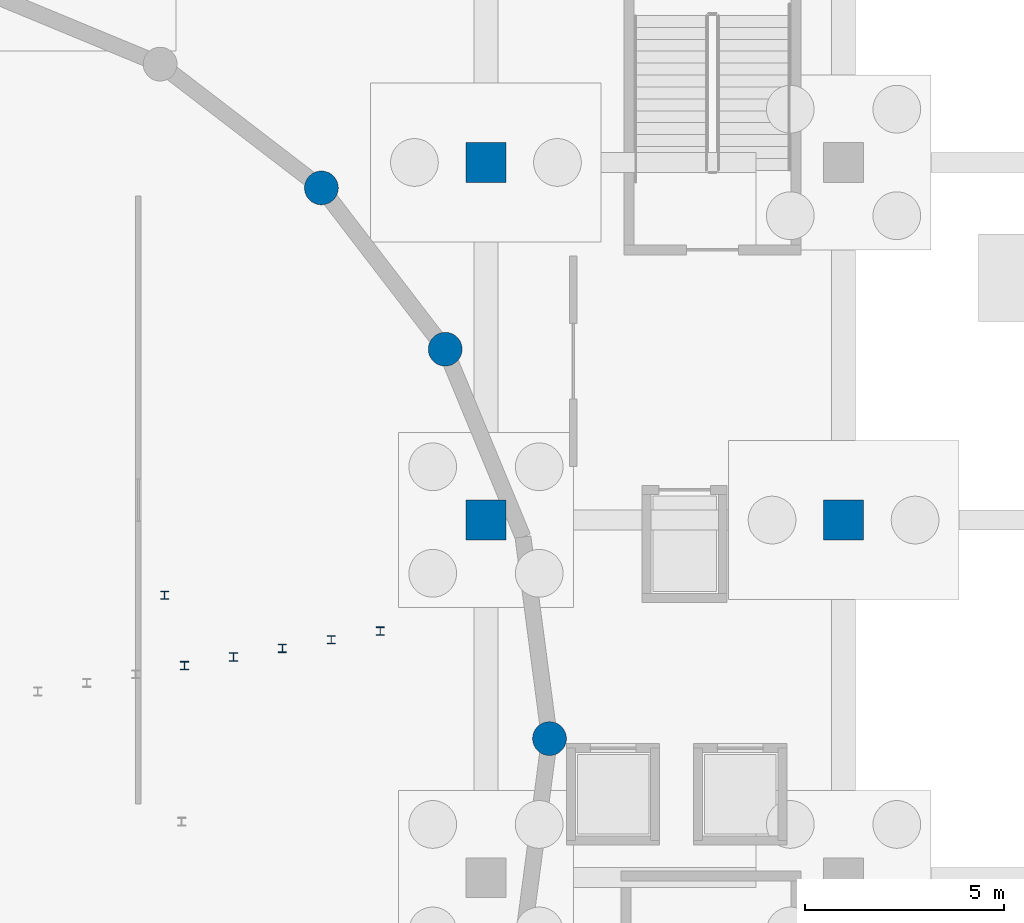
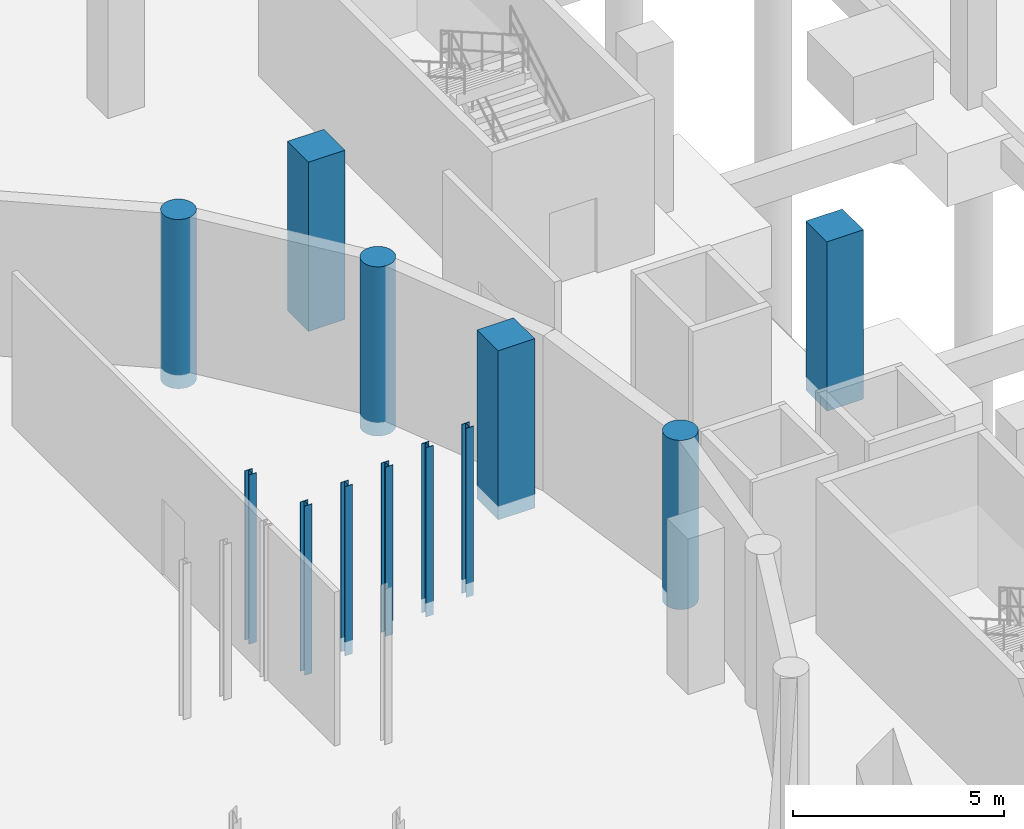
# One storey, part 25 of 40: 12 columns.
"""IFC4 building model written with IfcOpenShell, lengths in metres."""

from ifc_helpers import new_model, si_unit, direction, frame, origin, origin_2d, place, context, subcontext, project, spatial, rectangle, circle, i_section, extrude, material, material_profile, profile_set, type_object, element, save


model = new_model("IFC4")

# Units and contexts
model_context = context("Model", 3, precision=1e-05, world=origin(), true_north=direction((0.0, 1.0)))
body_context = subcontext(model_context, "Body", "Model", "MODEL_VIEW")
ifc_project = project(units=[si_unit("LENGTHUNIT", "METRE"), si_unit("AREAUNIT", "SQUARE_METRE"), si_unit("VOLUMEUNIT", "CUBIC_METRE"), si_unit("PLANEANGLEUNIT", "RADIAN"), si_unit("MASSUNIT", "GRAM", prefix="KILO")], contexts=[model_context])

# Site, building, storey
site_placement = place(None, origin())
site = spatial("IfcSite", under=ifc_project, at=site_placement, CompositionType="ELEMENT")
building_placement = place(site_placement, origin())
building = spatial("IfcBuilding", under=site, at=building_placement, Name="Marnock Terrace Opera House", CompositionType="ELEMENT")
storey_placement = place(building_placement, frame((0.0, 0.0, -4.800048828125)))
storey = spatial("IfcBuildingStorey", under=building, at=storey_placement, Name="B1", CompositionType="ELEMENT", Elevation=-4.800048828125)

# Columns
ifc_material_1 = material(Name="Concrete N50 (f'c = 50 MPa)", Category="concrete")
ifc_material_profile_1 = material_profile(ifc_material_1, circle(Radius=0.425048828125, at=origin_2d()))
ifc_profile_set_1 = profile_set([ifc_material_profile_1], Name="Concrete N50 (f'c = 50 MPa)")
column_type_1 = type_object("IfcColumnType", Name="COL-DRUM-850", PredefinedType="COLUMN", material=ifc_profile_set_1)
for number, where, z_axis, x_axis, name in (
    (1, (101.60009765625, 60.5, -0.39990234375), (0.0, 0.0, 1.0), (1.0, 0.0, 0.0), "B1 auditorium drum pier 1"),
    (2, (98.97412109375, 70.300048828125, -0.39990234375), (0.0, 0.0, 1.0), (1.0, 0.0, 0.0), "B1 auditorium drum pier 3"),
    (3, (95.85888671875, 74.35888671875, -0.39990234375), (0.0, 0.0, 1.0), (1.0, 0.0, 0.0), "B1 auditorium drum pier 4"),
):
    element("IfcColumn", number, at=place(storey_placement, frame(where, z_axis=z_axis, x_axis=x_axis)), inside=storey, type_object=column_type_1, Name=name, PredefinedType="COLUMN", context=body_context, shape_type="SweptSolid", body=[
        extrude(circle(Radius=0.425048828125, at=origin_2d()), origin(), (0.0, 0.0, 1.0), 4.89990234375),
    ])
ifc_material_profile_2 = material_profile(ifc_material_1, rectangle(XDim=1.0, YDim=1.0, at=origin_2d()))
ifc_profile_set_2 = profile_set([ifc_material_profile_2], Name="Concrete N50 (f'c = 50 MPa)")
column_type_2 = type_object("IfcColumnType", Name="COL-RC1000", PredefinedType="COLUMN", material=ifc_profile_set_2)
for number, where, z_axis, x_axis, name in (
    (4, (100.0, 66.0, -0.39990234375), (0.0, 0.0, 1.0), (1.0, 0.0, 0.0), "B1 column at (100.0, 66.0)"),
    (5, (100.0, 75.0, -0.39990234375), (0.0, 0.0, 1.0), (1.0, 0.0, 0.0), "B1 column at (100.0, 75.0)"),
    (6, (109.0, 66.0, -0.39990234375), (0.0, 0.0, 1.0), (1.0, 0.0, 0.0), "B1 column at (109.0, 66.0)"),
):
    element("IfcColumn", number, at=place(storey_placement, frame(where, z_axis=z_axis, x_axis=x_axis)), inside=storey, type_object=column_type_2, Name=name, PredefinedType="COLUMN", context=body_context, shape_type="SweptSolid", body=[
        extrude(rectangle(XDim=1.0, YDim=1.0, at=origin_2d()), origin(), (0.0, 0.0, 1.0), 4.89990234375),
    ])
ifc_material_2 = material(Name="Steel Grade 350 (AS/NZS 3679.1)", Category="steel")
ifc_material_profile_3 = material_profile(ifc_material_2, i_section(OverallWidth=0.205078125, OverallDepth=0.209716796875, WebThickness=0.00927734375, FlangeThickness=0.01416015625, FilletRadius=0.011474609375, at=origin_2d()))
ifc_profile_set_3 = profile_set([ifc_material_profile_3], Name="Steel Grade 350 (AS/NZS 3679.1)")
column_type_3 = type_object("IfcColumnType", Name="COL-UC200", PredefinedType="COLUMN", material=ifc_profile_set_3)
for number, where, z_axis, x_axis, name in (
    (7, (92.414306640625, 62.336181640625, -0.39990234375), (0.0, 0.0, 1.0), (1.0, 0.0, 0.0), "B1 Stalls tier 4 understage support stanchion 22"),
    (8, (93.6455078125, 62.553466796875, -0.39990234375), (0.0, 0.0, 1.0), (1.0, 0.0, 0.0), "B1 Stalls tier 5 understage support stanchion 22"),
    (9, (94.87646484375, 62.7705078125, -0.39990234375), (0.0, 0.0, 1.0), (1.0, 0.0, 0.0), "B1 Stalls tier 6 understage support stanchion 22"),
    (10, (96.107421875, 62.987548828125, -0.39990234375), (0.0, 0.0, 1.0), (1.0, 0.0, 0.0), "B1 Stalls tier 7 understage support stanchion 22"),
    (11, (97.33837890625, 63.20458984375, -0.39990234375), (0.0, 0.0, 1.0), (1.0, 0.0, 0.0), "B1 Stalls tier 8 understage support stanchion 22"),
    (12, (91.913818359375, 64.1083984375, -0.39990234375), (0.0, 0.0, 1.0), (1.0, 0.0, 0.0), "B1 Auditorium balcony-front column 8"),
):
    element("IfcColumn", number, at=place(storey_placement, frame(where, z_axis=z_axis, x_axis=x_axis)), inside=storey, type_object=column_type_3, Name=name, PredefinedType="COLUMN", context=body_context, shape_type="SweptSolid", body=[
        extrude(i_section(OverallWidth=0.205078125, OverallDepth=0.209716796875, WebThickness=0.00927734375, FlangeThickness=0.01416015625, FilletRadius=0.011474609375, at=origin_2d()), origin(), (0.0, 0.0, 1.0), 4.89990234375),
    ])

save(model, "model.ifc")
